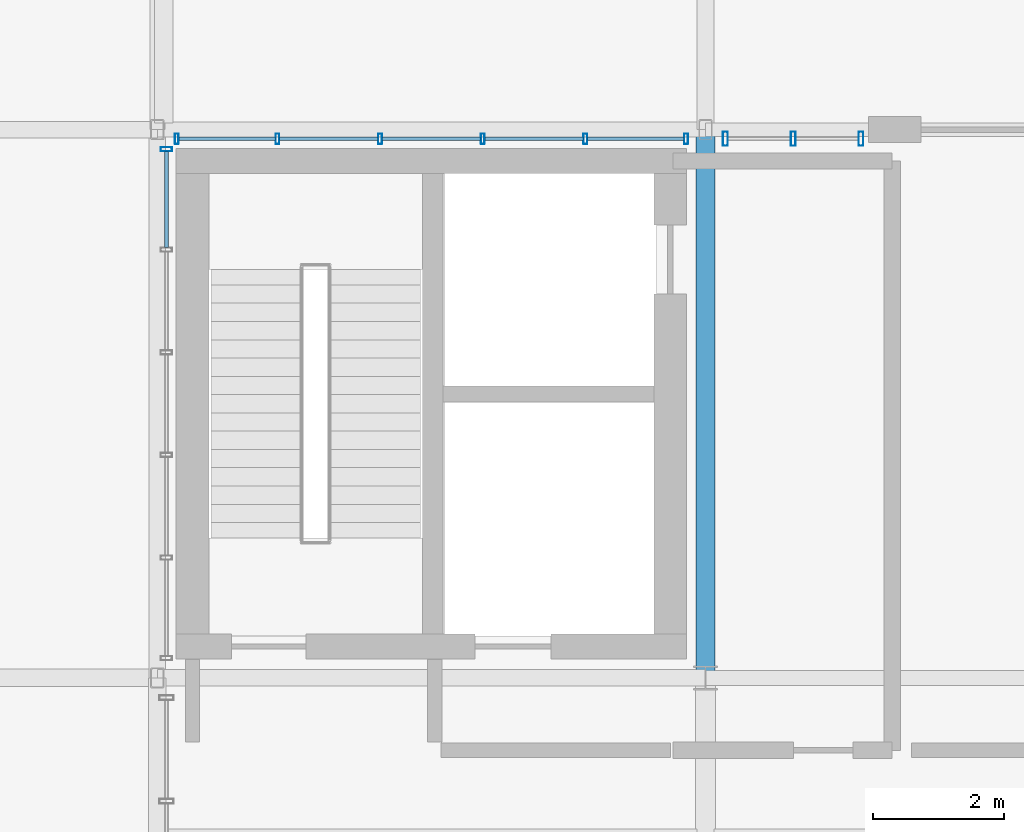
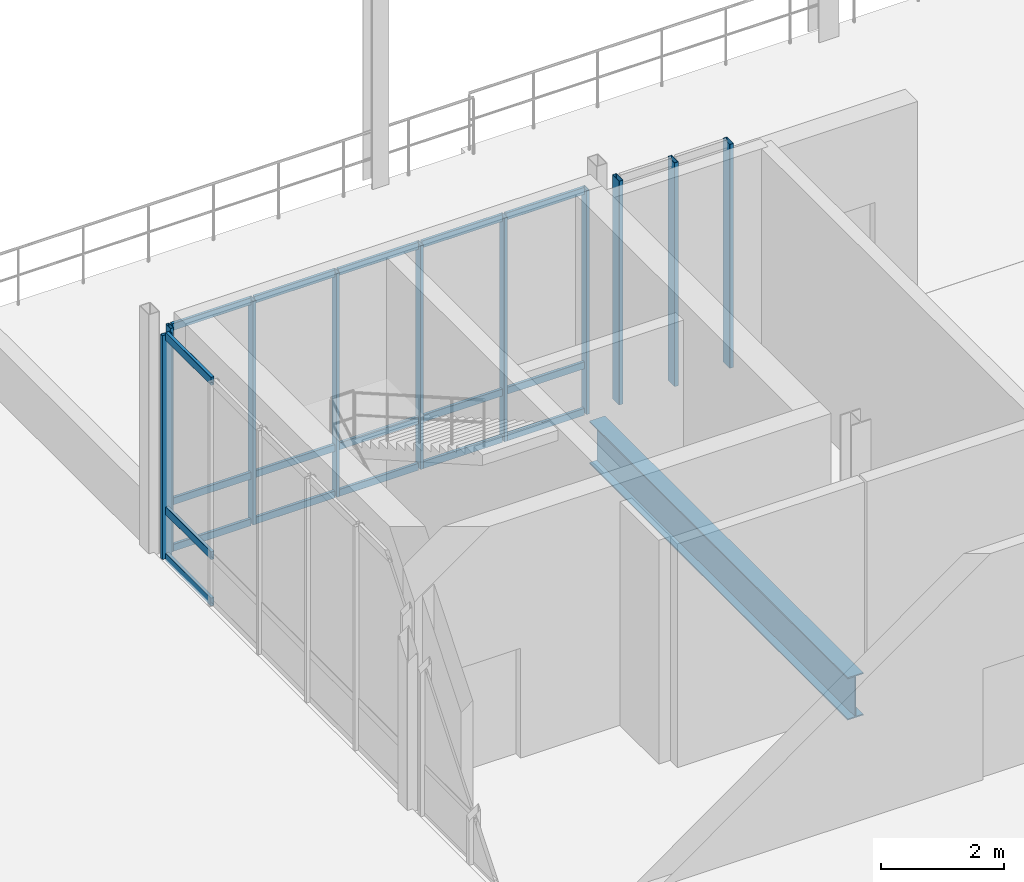
# One storey, part 29 of 81: 28 members, 1 beam, 3 elements without a shape of their own.
"""IFC4 building model written with IfcOpenShell, lengths in metres."""

import ifcopenshell
import ifcopenshell.guid

model = None  # the IFC model being written
_history = None  # IfcOwnerHistory: only IFC2X3 demands one
_inside = {}  # id of a spatial element -> (the spatial element, [elements in it])
_under = {}  # id of a project, library or spatial element -> (it, [spatial elements below it])
_declared = {}  # id of a project -> (the project, [libraries it declares])
_typed = {}  # id of a type object -> (the type object, [elements of that type])
_made_of = {}  # id of a material, layer set ... -> (it, [elements and type objects made of it])


def new_model(schema):
    """Start an empty IFC model of exactly this schema.

    Asked for "IFC4X3", IfcOpenShell would pick the latest addendum, in which some entities
    have other attributes; the version numbers below select the first issue.
    IFC2X3 requires an IfcOwnerHistory on every rooted entity: one is made here for all.
    """
    global model, _history
    if schema == "IFC4X3":
        model = ifcopenshell.file(schema_version=(4, 3, 0, 0))
    else:
        model = ifcopenshell.file(schema=schema)
    _inside.clear()
    _under.clear()
    _declared.clear()
    _typed.clear()
    _made_of.clear()
    _history = None
    if model.schema == "IFC2X3":
        org = make("IfcOrganization", Name="unknown")
        user = make(
            "IfcPersonAndOrganization",
            ThePerson=make("IfcPerson", FamilyName="unknown"),
            TheOrganization=org,
        )
        app = make(
            "IfcApplication",
            ApplicationDeveloper=org,
            Version="unknown",
            ApplicationFullName="unknown",
            ApplicationIdentifier="unknown",
        )
        _history = make(
            "IfcOwnerHistory",
            OwningUser=user,
            OwningApplication=app,
            ChangeAction="ADDED",
            CreationDate=0,
        )
    return model


def make(cls, **values):
    """One entity of the class cls with the attributes given. An attribute that is None is left unset."""
    return model.create_entity(
        cls, **{name: value for name, value in values.items() if value is not None}
    )


def rooted(cls, **values):
    """An entity with a GlobalId (a new one), such as an element, a storey or a relation."""
    return make(cls, GlobalId=ifcopenshell.guid.new(), OwnerHistory=_history, **values)


def si_unit(unit_type, name, prefix=None):
    """IfcSIUnit, for example si_unit("LENGTHUNIT", "METRE", prefix="MILLI")."""
    return make("IfcSIUnit", UnitType=unit_type, Prefix=prefix, Name=name)


def assignment(units):
    """IfcUnitAssignment: the units of a project."""
    return None if units is None else make("IfcUnitAssignment", Units=units)


def point(xyz):
    """IfcCartesianPoint."""
    return None if xyz is None else make("IfcCartesianPoint", Coordinates=xyz)


def direction(xyz):
    """IfcDirection."""
    return None if xyz is None else make("IfcDirection", DirectionRatios=xyz)


def frame(location, z_axis=None, x_axis=None):
    """IfcAxis2Placement3D, a coordinate frame: its origin and axes. An axis left out is left unset."""
    return make(
        "IfcAxis2Placement3D",
        Location=point(location),
        Axis=direction(z_axis),
        RefDirection=direction(x_axis),
    )


def frame_2d(location, x_axis=None):
    """IfcAxis2Placement2D, a coordinate frame in the plane: its origin and x axis."""
    return make(
        "IfcAxis2Placement2D", Location=point(location), RefDirection=direction(x_axis)
    )


def origin_with_axes():
    """The frame at (0, 0, 0) with the z axis (0, 0, 1) and the x axis (1, 0, 0) written out."""
    return frame((0.0, 0.0, 0.0), z_axis=(0.0, 0.0, 1.0), x_axis=(1.0, 0.0, 0.0))


def origin_2d_with_axis():
    """The frame at (0, 0) in the plane with the x axis (1, 0) written out."""
    return frame_2d((0.0, 0.0), x_axis=(1.0, 0.0))


def place(relative_to, where):
    """IfcLocalPlacement: puts the frame where relative to a parent placement (None: the world)."""
    return make(
        "IfcLocalPlacement", PlacementRelTo=relative_to, RelativePlacement=where
    )


def context(
    kind, dimensions, precision=None, world=None, true_north=None, identifier=None
):
    """IfcGeometricRepresentationContext, for example the 3D "Model" context."""
    return make(
        "IfcGeometricRepresentationContext",
        ContextIdentifier=identifier,
        ContextType=kind,
        CoordinateSpaceDimension=dimensions,
        Precision=precision,
        WorldCoordinateSystem=world,
        TrueNorth=true_north,
    )


def subcontext(parent, identifier, kind, view, scale=None):
    """IfcGeometricRepresentationSubContext, for example "Body" below "Model"."""
    return make(
        "IfcGeometricRepresentationSubContext",
        ContextIdentifier=identifier,
        ContextType=kind,
        ParentContext=parent,
        TargetScale=scale,
        TargetView=view,
    )


def project(units=None, contexts=None):
    """IfcProject with its units and contexts."""
    return rooted(
        "IfcProject",
        Name="project",
        RepresentationContexts=contexts,
        UnitsInContext=assignment(units),
    )


def spatial(cls, under=None, at=None, **own):
    """A site, building, storey or space (cls), placed at a placement, below another one or the project."""
    s = rooted(cls, ObjectPlacement=at, **own)
    if under is not None:
        _under.setdefault(under.id(), (under, []))[1].append(s)
    return s


def profile(cls, at=None, kind="AREA", **sizes):
    """A parametric profile (cls). Its sizes go by their IFC names, for example OverallWidth=200.0."""
    return make(cls, ProfileType=kind, Position=at, **sizes)


def hollow_rectangle(**sizes):
    """IfcRectangleHollowProfileDef."""
    return profile("IfcRectangleHollowProfileDef", **sizes)


def i_section(**sizes):
    """IfcIShapeProfileDef."""
    return profile("IfcIShapeProfileDef", **sizes)


def extrude(swept, where, along, depth):
    """IfcExtrudedAreaSolid: the profile swept, set in the frame where, extruded along a direction by depth."""
    return make(
        "IfcExtrudedAreaSolid",
        SweptArea=swept,
        Position=where,
        ExtrudedDirection=direction(along),
        Depth=depth,
    )


def shape(context_of_items, identifier, shape_type, items):
    """IfcShapeRepresentation: the items that make up one representation, for example the "Body"."""
    return make(
        "IfcShapeRepresentation",
        ContextOfItems=context_of_items,
        RepresentationIdentifier=identifier,
        RepresentationType=shape_type,
        Items=items,
    )


def material(Name=None, Category=None):
    """IfcMaterial."""
    return make("IfcMaterial", Name=Name, Category=Category)


def material_profile(
    of_material, cross_section, Name=None, Category=None, Priority=None
):
    """IfcMaterialProfile: a cross section and its material."""
    return make(
        "IfcMaterialProfile",
        Name=Name,
        Material=of_material,
        Profile=cross_section,
        Priority=Priority,
        Category=Category,
    )


def profile_set(profiles, Name=None, composite=None):
    """IfcMaterialProfileSet."""
    return make(
        "IfcMaterialProfileSet",
        Name=Name,
        MaterialProfiles=profiles,
        CompositeProfile=composite,
    )


def made_of(thing, what):
    """Note that an element or type object is made of a material, layer set ...; save() writes the relation."""
    if what is not None:
        _made_of.setdefault(what.id(), (what, []))[1].append(thing)
    return thing


def type_object(cls, material=None, **own):
    """A type object (cls), such as IfcWallType, which elements share."""
    return made_of(rooted(cls, **own), material)


def element(
    cls,
    number,
    at=None,
    inside=None,
    cuts=None,
    type_object=None,
    material=None,
    context=None,
    identifier="Body",
    shape_type=None,
    held_by="IfcProductDefinitionShape",
    body=None,
    shapes=None,
    **own,
):
    """One element of the class cls, such as IfcWall. Its Tag is "e" and its number.

    at: its placement. inside: the storey or other place that contains it. cuts: it is an
    opening in that element (IfcRelVoidsElement). A single representation is given by context,
    identifier, shape_type and body (its items); several are given by shapes. held_by: the class
    of the entity that holds the representations. save() writes the other relations.
    """
    e = rooted(cls, Tag="e%d" % number, ObjectPlacement=at, **own)
    if body is not None:
        shapes = [shape(context, identifier, shape_type, body)]
    if shapes is not None:
        e.Representation = make(held_by, Representations=shapes)
    if inside is not None:
        _inside.setdefault(inside.id(), (inside, []))[1].append(e)
    if cuts is not None:
        rooted(
            "IfcRelVoidsElement", RelatingBuildingElement=cuts, RelatedOpeningElement=e
        )
    if type_object is not None:
        _typed.setdefault(type_object.id(), (type_object, []))[1].append(e)
    return made_of(e, material)


def aggregate(whole, parts):
    """IfcRelAggregates: a whole, such as a stair, and the parts it consists of."""
    return rooted("IfcRelAggregates", RelatingObject=whole, RelatedObjects=parts)


def save(model, path):
    """Write the relations noted so far, then the file.

    IfcRelAggregates (storeys below a building ...), IfcRelContainedInSpatialStructure (elements
    in a storey), IfcRelDefinesByType, IfcRelAssociatesMaterial and IfcRelDeclares: one each for
    every whole, place, type object, material and project.
    """
    for whole, parts in _under.values():
        aggregate(whole, parts)
    for where, things in _inside.values():
        rooted(
            "IfcRelContainedInSpatialStructure",
            RelatedElements=things,
            RelatingStructure=where,
        )
    for kind, things in _typed.values():
        rooted("IfcRelDefinesByType", RelatedObjects=things, RelatingType=kind)
    for what, things in _made_of.values():
        rooted("IfcRelAssociatesMaterial", RelatedObjects=things, RelatingMaterial=what)
    for by, libraries in _declared.values():
        rooted("IfcRelDeclares", RelatingContext=by, RelatedDefinitions=libraries)
    model.write(path)


model = new_model("IFC4")

# Units and contexts
model_context = context("Model", 3, precision=1e-05, world=origin_with_axes(), true_north=direction((0.0, 1.0)))
body_context = subcontext(model_context, "Body", "Model", "MODEL_VIEW")
ifc_project = project(units=[si_unit("LENGTHUNIT", "METRE"), si_unit("AREAUNIT", "SQUARE_METRE"), si_unit("VOLUMEUNIT", "CUBIC_METRE"), si_unit("PLANEANGLEUNIT", "RADIAN"), si_unit("MASSUNIT", "GRAM", prefix="KILO"), si_unit("THERMODYNAMICTEMPERATUREUNIT", "KELVIN")], contexts=[model_context])

# Site, building, storey
site_placement = place(None, origin_with_axes())
site = spatial("IfcSite", under=ifc_project, at=site_placement, CompositionType="ELEMENT")
building_placement = place(site_placement, origin_with_axes())
building = spatial("IfcBuilding", under=site, at=building_placement, Name="Montbau Bow Law Courts", CompositionType="ELEMENT")
storey_placement = place(building_placement, frame((0.0, 0.0, 24.9), z_axis=(0.0, 0.0, 1.0), x_axis=(1.0, 0.0, 0.0)))
storey = spatial("IfcBuildingStorey", under=building, at=storey_placement, Name="L05", CompositionType="ELEMENT", Elevation=24.9)

# Beam
ifc_material_1 = material(Name="Steel CSA G40.21 Grade 350W (350 MPa)", Category="steel")
ifc_material_profile_1 = material_profile(ifc_material_1, i_section(OverallWidth=0.293, OverallDepth=0.846, WebThickness=0.0154, FlangeThickness=0.0244, at=origin_2d_with_axis()), Name="W840X210", Category="Main", Priority=0)
ifc_profile_set_1 = profile_set([ifc_material_profile_1], Name="Steel CSA G40.21 Grade 350W (350 MPa)")
beam_type = type_object("IfcBeamType", Name="B-FLR-02", PredefinedType="BEAM", material=ifc_profile_set_1)
beam_placement = place(None, frame((63.6, 46.2, 24.157), z_axis=(0.0, 1.0, 0.0), x_axis=(-1.0, 0.0, 0.0)))
element("IfcBeam", 1, at=beam_placement, inside=storey, type_object=beam_type, Name="BM-L05-S0984:bm2_0987", PredefinedType="BEAM", context=body_context, shape_type="SweptSolid", body=[
    extrude(i_section(OverallWidth=0.293, OverallDepth=0.846, WebThickness=0.0154, FlangeThickness=0.0244, at=origin_2d_with_axis()), origin_with_axes(), (0.0, 0.0, 1.0), 8.4),
])

# Curtain wall, members
ifc_material_2 = material(Name="Thermally Broken Extruded Aluminium AA 6063-T6", Category="aluminium")
curtain_wall_type = type_object("IfcCurtainWallType", Name="CW-NCK-02", PredefinedType="NOTDEFINED", material=ifc_material_2)
curtain_wall_1_placement = place(None, frame((63.868, 54.46, 24.9), z_axis=(0.0, 0.0, 1.0), x_axis=(1.0, 0.0, 0.0)))
curtain_wall_1 = element("IfcCurtainWall", 2, at=curtain_wall_1_placement, inside=storey, type_object=curtain_wall_type, Name="CW-L05-216:cw_0216", PredefinedType="NOTDEFINED")
ifc_material_profile_2 = material_profile(ifc_material_2, hollow_rectangle(XDim=0.075, YDim=0.22, WallThickness=0.005, InnerFilletRadius=0.01, OuterFilletRadius=0.005, at=origin_2d_with_axis()), Name="CWM-220X75", Category="Main", Priority=0)
ifc_profile_set_2 = profile_set([ifc_material_profile_2], Name="Thermally Broken Extruded Aluminium AA 6063-T6")
member_type_1 = type_object("IfcMemberType", Name="M-MUL-01", PredefinedType="MULLION", material=ifc_profile_set_2)
member_1_placement = place(None, frame((63.905, 54.46, 24.9), z_axis=(0.0, 0.0, 1.0), x_axis=(1.0, 0.0, 0.0)))
member_1 = element("IfcMember", 3, at=member_1_placement, type_object=member_type_1, Name="CW-L05-216-M01:cw_0216_M01", PredefinedType="MULLION", context=body_context, shape_type="SweptSolid", body=[
    extrude(hollow_rectangle(XDim=0.075, YDim=0.22, WallThickness=0.005, InnerFilletRadius=0.01, OuterFilletRadius=0.005, at=origin_2d_with_axis()), origin_with_axes(), (0.0, 0.0, 1.0), 4.44),
])
member_2_placement = place(None, frame((64.944, 54.46, 24.9), z_axis=(0.0, 0.0, 1.0), x_axis=(1.0, 0.0, 0.0)))
member_2 = element("IfcMember", 4, at=member_2_placement, type_object=member_type_1, Name="CW-L05-216-M02:cw_0216_M02", PredefinedType="MULLION", context=body_context, shape_type="SweptSolid", body=[
    extrude(hollow_rectangle(XDim=0.075, YDim=0.22, WallThickness=0.005, InnerFilletRadius=0.01, OuterFilletRadius=0.005, at=origin_2d_with_axis()), origin_with_axes(), (0.0, 0.0, 1.0), 4.44),
])
member_3_placement = place(None, frame((65.982, 54.46, 24.9), z_axis=(0.0, 0.0, 1.0), x_axis=(1.0, 0.0, 0.0)))
member_3 = element("IfcMember", 5, at=member_3_placement, type_object=member_type_1, Name="CW-L05-216-M03:cw_0216_M03", PredefinedType="MULLION", context=body_context, shape_type="SweptSolid", body=[
    extrude(hollow_rectangle(XDim=0.075, YDim=0.22, WallThickness=0.005, InnerFilletRadius=0.01, OuterFilletRadius=0.005, at=origin_2d_with_axis()), origin_with_axes(), (0.0, 0.0, 1.0), 4.44),
])
aggregate(curtain_wall_1, [member_1, member_2, member_3])

# Curtain wall, member
curtain_wall_2_placement = place(None, frame((55.34, 46.468, 24.9), z_axis=(0.0, 0.0, 1.0), x_axis=(1.0, 0.0, 0.0)))
curtain_wall_2 = element("IfcCurtainWall", 6, at=curtain_wall_2_placement, inside=storey, type_object=curtain_wall_type, Name="CW-L05-220:cw_0220", PredefinedType="NOTDEFINED")
ifc_material_profile_3 = material_profile(ifc_material_2, hollow_rectangle(XDim=0.065, YDim=0.18, WallThickness=0.005, InnerFilletRadius=0.01, OuterFilletRadius=0.005, at=origin_2d_with_axis()), Name="CWM-180X65", Category="Main", Priority=0)
ifc_profile_set_3 = profile_set([ifc_material_profile_3], Name="Thermally Broken Extruded Aluminium AA 6063-T6")
member_type_2 = type_object("IfcMemberType", Name="M-MUL-02", PredefinedType="MULLION", material=ifc_profile_set_3)
member_4_placement = place(None, frame((55.34, 54.299, 24.9), z_axis=(0.0, 0.0, 1.0), x_axis=(0.0, 1.0, 0.0)))
member_4 = element("IfcMember", 7, at=member_4_placement, type_object=member_type_2, Name="CW-L05-220-M06:cw_0220_M06", PredefinedType="MULLION", context=body_context, shape_type="SweptSolid", body=[
    extrude(hollow_rectangle(XDim=0.065, YDim=0.18, WallThickness=0.005, InnerFilletRadius=0.01, OuterFilletRadius=0.005, at=origin_2d_with_axis()), origin_with_axes(), (0.0, 0.0, 1.0), 4.44),
])

# Curtain wall, members
curtain_wall_3_placement = place(None, frame((55.468, 54.46, 24.9), z_axis=(0.0, 0.0, 1.0), x_axis=(1.0, 0.0, 0.0)))
curtain_wall_3 = element("IfcCurtainWall", 8, at=curtain_wall_3_placement, inside=storey, type_object=curtain_wall_type, Name="CW-L05-215:cw_0215", PredefinedType="NOTDEFINED")
ifc_material_profile_4 = material_profile(ifc_material_2, hollow_rectangle(XDim=0.06, YDim=0.16, WallThickness=0.004, InnerFilletRadius=0.008, OuterFilletRadius=0.004, at=origin_2d_with_axis()), Name="CWM-160X60", Category="Main", Priority=0)
ifc_profile_set_4 = profile_set([ifc_material_profile_4], Name="Thermally Broken Extruded Aluminium AA 6063-T6")
member_type_3 = type_object("IfcMemberType", Name="M-MUL-03", PredefinedType="MULLION", material=ifc_profile_set_4)
member_5_placement = place(None, frame((55.498, 54.46, 24.9), z_axis=(0.0, 0.0, 1.0), x_axis=(1.0, 0.0, 0.0)))
member_5 = element("IfcMember", 9, at=member_5_placement, type_object=member_type_3, Name="CW-L05-215-M01:cw_0215_M01", PredefinedType="MULLION", context=body_context, shape_type="SweptSolid", body=[
    extrude(hollow_rectangle(XDim=0.06, YDim=0.16, WallThickness=0.004, InnerFilletRadius=0.008, OuterFilletRadius=0.004, at=origin_2d_with_axis()), origin_with_axes(), (0.0, 0.0, 1.0), 4.44),
])
member_6_placement = place(None, frame((57.041, 54.46, 24.9), z_axis=(0.0, 0.0, 1.0), x_axis=(1.0, 0.0, 0.0)))
member_6 = element("IfcMember", 10, at=member_6_placement, type_object=member_type_3, Name="CW-L05-215-M02:cw_0215_M02", PredefinedType="MULLION", context=body_context, shape_type="SweptSolid", body=[
    extrude(hollow_rectangle(XDim=0.06, YDim=0.16, WallThickness=0.004, InnerFilletRadius=0.008, OuterFilletRadius=0.004, at=origin_2d_with_axis()), origin_with_axes(), (0.0, 0.0, 1.0), 4.44),
])
member_7_placement = place(None, frame((58.614, 54.46, 24.9), z_axis=(0.0, 0.0, 1.0), x_axis=(1.0, 0.0, 0.0)))
member_7 = element("IfcMember", 11, at=member_7_placement, type_object=member_type_3, Name="CW-L05-215-M03:cw_0215_M03", PredefinedType="MULLION", context=body_context, shape_type="SweptSolid", body=[
    extrude(hollow_rectangle(XDim=0.06, YDim=0.16, WallThickness=0.004, InnerFilletRadius=0.008, OuterFilletRadius=0.004, at=origin_2d_with_axis()), origin_with_axes(), (0.0, 0.0, 1.0), 4.44),
])
member_8_placement = place(None, frame((60.186, 54.46, 24.9), z_axis=(0.0, 0.0, 1.0), x_axis=(1.0, 0.0, 0.0)))
member_8 = element("IfcMember", 12, at=member_8_placement, type_object=member_type_3, Name="CW-L05-215-M04:cw_0215_M04", PredefinedType="MULLION", context=body_context, shape_type="SweptSolid", body=[
    extrude(hollow_rectangle(XDim=0.06, YDim=0.16, WallThickness=0.004, InnerFilletRadius=0.008, OuterFilletRadius=0.004, at=origin_2d_with_axis()), origin_with_axes(), (0.0, 0.0, 1.0), 4.44),
])
member_9_placement = place(None, frame((61.759, 54.46, 24.9), z_axis=(0.0, 0.0, 1.0), x_axis=(1.0, 0.0, 0.0)))
member_9 = element("IfcMember", 13, at=member_9_placement, type_object=member_type_3, Name="CW-L05-215-M05:cw_0215_M05", PredefinedType="MULLION", context=body_context, shape_type="SweptSolid", body=[
    extrude(hollow_rectangle(XDim=0.06, YDim=0.16, WallThickness=0.004, InnerFilletRadius=0.008, OuterFilletRadius=0.004, at=origin_2d_with_axis()), origin_with_axes(), (0.0, 0.0, 1.0), 4.44),
])
member_10_placement = place(None, frame((63.302, 54.46, 24.9), z_axis=(0.0, 0.0, 1.0), x_axis=(1.0, 0.0, 0.0)))
member_10 = element("IfcMember", 14, at=member_10_placement, type_object=member_type_3, Name="CW-L05-215-M06:cw_0215_M06", PredefinedType="MULLION", context=body_context, shape_type="SweptSolid", body=[
    extrude(hollow_rectangle(XDim=0.06, YDim=0.16, WallThickness=0.004, InnerFilletRadius=0.008, OuterFilletRadius=0.004, at=origin_2d_with_axis()), origin_with_axes(), (0.0, 0.0, 1.0), 4.44),
])

# Member
ifc_material_profile_5 = material_profile(ifc_material_2, hollow_rectangle(XDim=0.06, YDim=0.16, WallThickness=0.004, InnerFilletRadius=0.008, OuterFilletRadius=0.004, at=origin_2d_with_axis()), Name="CWT-160X60", Category="Main", Priority=0)
ifc_profile_set_5 = profile_set([ifc_material_profile_5], Name="Thermally Broken Extruded Aluminium AA 6063-T6")
member_type_4 = type_object("IfcMemberType", Name="M-TRN-01", PredefinedType="USERDEFINED", material=ifc_profile_set_5)
member_11_placement = place(None, frame((55.34, 52.793, 24.93), z_axis=(0.0, 1.0, 0.0), x_axis=(-1.0, 0.0, 0.0)))
member_11 = element("IfcMember", 15, at=member_11_placement, type_object=member_type_4, Name="CW-L05-220-T05-1:cw_0220_T05_1", ObjectType="TRANSOM", PredefinedType="USERDEFINED", context=body_context, shape_type="SweptSolid", body=[
    extrude(hollow_rectangle(XDim=0.06, YDim=0.16, WallThickness=0.004, InnerFilletRadius=0.008, OuterFilletRadius=0.004, at=origin_2d_with_axis()), origin_with_axes(), (0.0, 0.0, 1.0), 1.472),
])

member_12_placement = place(None, frame((55.34, 52.793, 25.85), z_axis=(0.0, 1.0, 0.0), x_axis=(-1.0, 0.0, 0.0)))
member_12 = element("IfcMember", 16, at=member_12_placement, type_object=member_type_4, Name="CW-L05-220-T05-2:cw_0220_T05_2", ObjectType="TRANSOM", PredefinedType="USERDEFINED", context=body_context, shape_type="SweptSolid", body=[
    extrude(hollow_rectangle(XDim=0.06, YDim=0.16, WallThickness=0.004, InnerFilletRadius=0.008, OuterFilletRadius=0.004, at=origin_2d_with_axis()), origin_with_axes(), (0.0, 0.0, 1.0), 1.472),
])

member_13_placement = place(None, frame((55.34, 52.793, 29.31), z_axis=(0.0, 1.0, 0.0), x_axis=(-1.0, 0.0, 0.0)))
member_13 = element("IfcMember", 17, at=member_13_placement, type_object=member_type_4, Name="CW-L05-220-T05-3:cw_0220_T05_3", ObjectType="TRANSOM", PredefinedType="USERDEFINED", context=body_context, shape_type="SweptSolid", body=[
    extrude(hollow_rectangle(XDim=0.06, YDim=0.16, WallThickness=0.004, InnerFilletRadius=0.008, OuterFilletRadius=0.004, at=origin_2d_with_axis()), origin_with_axes(), (0.0, 0.0, 1.0), 1.472),
])

aggregate(curtain_wall_2, [member_4, member_11, member_12, member_13])

ifc_material_profile_6 = material_profile(ifc_material_2, hollow_rectangle(XDim=0.055, YDim=0.14, WallThickness=0.004, InnerFilletRadius=0.008, OuterFilletRadius=0.004, at=origin_2d_with_axis()), Name="CWT-140X55", Category="Main", Priority=0)
ifc_profile_set_6 = profile_set([ifc_material_profile_6], Name="Thermally Broken Extruded Aluminium AA 6063-T6")
member_type_5 = type_object("IfcMemberType", Name="M-TRN-02", PredefinedType="USERDEFINED", material=ifc_profile_set_6)
member_14_placement = place(None, frame((55.53, 54.46, 24.927), z_axis=(1.0, 0.0, 0.0), x_axis=(0.0, 1.0, 0.0)))
member_14 = element("IfcMember", 18, at=member_14_placement, type_object=member_type_5, Name="CW-L05-215-T01-1:cw_0215_T01_1", ObjectType="TRANSOM", PredefinedType="USERDEFINED", context=body_context, shape_type="SweptSolid", body=[
    extrude(hollow_rectangle(XDim=0.055, YDim=0.14, WallThickness=0.004, InnerFilletRadius=0.008, OuterFilletRadius=0.004, at=origin_2d_with_axis()), origin_with_axes(), (0.0, 0.0, 1.0), 1.479),
])

member_15_placement = place(None, frame((55.53, 54.46, 25.85), z_axis=(1.0, 0.0, 0.0), x_axis=(0.0, 1.0, 0.0)))
member_15 = element("IfcMember", 19, at=member_15_placement, type_object=member_type_5, Name="CW-L05-215-T01-2:cw_0215_T01_2", ObjectType="TRANSOM", PredefinedType="USERDEFINED", context=body_context, shape_type="SweptSolid", body=[
    extrude(hollow_rectangle(XDim=0.055, YDim=0.14, WallThickness=0.004, InnerFilletRadius=0.008, OuterFilletRadius=0.004, at=origin_2d_with_axis()), origin_with_axes(), (0.0, 0.0, 1.0), 1.479),
])

member_16_placement = place(None, frame((55.53, 54.46, 29.312), z_axis=(1.0, 0.0, 0.0), x_axis=(0.0, 1.0, 0.0)))
member_16 = element("IfcMember", 20, at=member_16_placement, type_object=member_type_5, Name="CW-L05-215-T01-3:cw_0215_T01_3", ObjectType="TRANSOM", PredefinedType="USERDEFINED", context=body_context, shape_type="SweptSolid", body=[
    extrude(hollow_rectangle(XDim=0.055, YDim=0.14, WallThickness=0.004, InnerFilletRadius=0.008, OuterFilletRadius=0.004, at=origin_2d_with_axis()), origin_with_axes(), (0.0, 0.0, 1.0), 1.479),
])

member_17_placement = place(None, frame((57.073, 54.46, 24.927), z_axis=(1.0, 0.0, 0.0), x_axis=(0.0, 1.0, 0.0)))
member_17 = element("IfcMember", 21, at=member_17_placement, type_object=member_type_5, Name="CW-L05-215-T02-1:cw_0215_T02_1", ObjectType="TRANSOM", PredefinedType="USERDEFINED", context=body_context, shape_type="SweptSolid", body=[
    extrude(hollow_rectangle(XDim=0.055, YDim=0.14, WallThickness=0.004, InnerFilletRadius=0.008, OuterFilletRadius=0.004, at=origin_2d_with_axis()), origin_with_axes(), (0.0, 0.0, 1.0), 1.509),
])

member_18_placement = place(None, frame((57.073, 54.46, 25.85), z_axis=(1.0, 0.0, 0.0), x_axis=(0.0, 1.0, 0.0)))
member_18 = element("IfcMember", 22, at=member_18_placement, type_object=member_type_5, Name="CW-L05-215-T02-2:cw_0215_T02_2", ObjectType="TRANSOM", PredefinedType="USERDEFINED", context=body_context, shape_type="SweptSolid", body=[
    extrude(hollow_rectangle(XDim=0.055, YDim=0.14, WallThickness=0.004, InnerFilletRadius=0.008, OuterFilletRadius=0.004, at=origin_2d_with_axis()), origin_with_axes(), (0.0, 0.0, 1.0), 1.509),
])

member_19_placement = place(None, frame((57.073, 54.46, 29.312), z_axis=(1.0, 0.0, 0.0), x_axis=(0.0, 1.0, 0.0)))
member_19 = element("IfcMember", 23, at=member_19_placement, type_object=member_type_5, Name="CW-L05-215-T02-3:cw_0215_T02_3", ObjectType="TRANSOM", PredefinedType="USERDEFINED", context=body_context, shape_type="SweptSolid", body=[
    extrude(hollow_rectangle(XDim=0.055, YDim=0.14, WallThickness=0.004, InnerFilletRadius=0.008, OuterFilletRadius=0.004, at=origin_2d_with_axis()), origin_with_axes(), (0.0, 0.0, 1.0), 1.509),
])

member_20_placement = place(None, frame((58.646, 54.46, 24.927), z_axis=(1.0, 0.0, 0.0), x_axis=(0.0, 1.0, 0.0)))
member_20 = element("IfcMember", 24, at=member_20_placement, type_object=member_type_5, Name="CW-L05-215-T03-1:cw_0215_T03_1", ObjectType="TRANSOM", PredefinedType="USERDEFINED", context=body_context, shape_type="SweptSolid", body=[
    extrude(hollow_rectangle(XDim=0.055, YDim=0.14, WallThickness=0.004, InnerFilletRadius=0.008, OuterFilletRadius=0.004, at=origin_2d_with_axis()), origin_with_axes(), (0.0, 0.0, 1.0), 1.508),
])

member_21_placement = place(None, frame((58.646, 54.46, 25.85), z_axis=(1.0, 0.0, 0.0), x_axis=(0.0, 1.0, 0.0)))
member_21 = element("IfcMember", 25, at=member_21_placement, type_object=member_type_5, Name="CW-L05-215-T03-2:cw_0215_T03_2", ObjectType="TRANSOM", PredefinedType="USERDEFINED", context=body_context, shape_type="SweptSolid", body=[
    extrude(hollow_rectangle(XDim=0.055, YDim=0.14, WallThickness=0.004, InnerFilletRadius=0.008, OuterFilletRadius=0.004, at=origin_2d_with_axis()), origin_with_axes(), (0.0, 0.0, 1.0), 1.508),
])

member_22_placement = place(None, frame((58.646, 54.46, 29.312), z_axis=(1.0, 0.0, 0.0), x_axis=(0.0, 1.0, 0.0)))
member_22 = element("IfcMember", 26, at=member_22_placement, type_object=member_type_5, Name="CW-L05-215-T03-3:cw_0215_T03_3", ObjectType="TRANSOM", PredefinedType="USERDEFINED", context=body_context, shape_type="SweptSolid", body=[
    extrude(hollow_rectangle(XDim=0.055, YDim=0.14, WallThickness=0.004, InnerFilletRadius=0.008, OuterFilletRadius=0.004, at=origin_2d_with_axis()), origin_with_axes(), (0.0, 0.0, 1.0), 1.508),
])

member_23_placement = place(None, frame((60.218, 54.46, 24.927), z_axis=(1.0, 0.0, 0.0), x_axis=(0.0, 1.0, 0.0)))
member_23 = element("IfcMember", 27, at=member_23_placement, type_object=member_type_5, Name="CW-L05-215-T04-1:cw_0215_T04_1", ObjectType="TRANSOM", PredefinedType="USERDEFINED", context=body_context, shape_type="SweptSolid", body=[
    extrude(hollow_rectangle(XDim=0.055, YDim=0.14, WallThickness=0.004, InnerFilletRadius=0.008, OuterFilletRadius=0.004, at=origin_2d_with_axis()), origin_with_axes(), (0.0, 0.0, 1.0), 1.509),
])

member_24_placement = place(None, frame((60.218, 54.46, 25.85), z_axis=(1.0, 0.0, 0.0), x_axis=(0.0, 1.0, 0.0)))
member_24 = element("IfcMember", 28, at=member_24_placement, type_object=member_type_5, Name="CW-L05-215-T04-2:cw_0215_T04_2", ObjectType="TRANSOM", PredefinedType="USERDEFINED", context=body_context, shape_type="SweptSolid", body=[
    extrude(hollow_rectangle(XDim=0.055, YDim=0.14, WallThickness=0.004, InnerFilletRadius=0.008, OuterFilletRadius=0.004, at=origin_2d_with_axis()), origin_with_axes(), (0.0, 0.0, 1.0), 1.509),
])

member_25_placement = place(None, frame((60.218, 54.46, 29.312), z_axis=(1.0, 0.0, 0.0), x_axis=(0.0, 1.0, 0.0)))
member_25 = element("IfcMember", 29, at=member_25_placement, type_object=member_type_5, Name="CW-L05-215-T04-3:cw_0215_T04_3", ObjectType="TRANSOM", PredefinedType="USERDEFINED", context=body_context, shape_type="SweptSolid", body=[
    extrude(hollow_rectangle(XDim=0.055, YDim=0.14, WallThickness=0.004, InnerFilletRadius=0.008, OuterFilletRadius=0.004, at=origin_2d_with_axis()), origin_with_axes(), (0.0, 0.0, 1.0), 1.509),
])

member_26_placement = place(None, frame((61.791, 54.46, 24.927), z_axis=(1.0, 0.0, 0.0), x_axis=(0.0, 1.0, 0.0)))
member_26 = element("IfcMember", 30, at=member_26_placement, type_object=member_type_5, Name="CW-L05-215-T05-1:cw_0215_T05_1", ObjectType="TRANSOM", PredefinedType="USERDEFINED", context=body_context, shape_type="SweptSolid", body=[
    extrude(hollow_rectangle(XDim=0.055, YDim=0.14, WallThickness=0.004, InnerFilletRadius=0.008, OuterFilletRadius=0.004, at=origin_2d_with_axis()), origin_with_axes(), (0.0, 0.0, 1.0), 1.479),
])

member_27_placement = place(None, frame((61.791, 54.46, 25.85), z_axis=(1.0, 0.0, 0.0), x_axis=(0.0, 1.0, 0.0)))
member_27 = element("IfcMember", 31, at=member_27_placement, type_object=member_type_5, Name="CW-L05-215-T05-2:cw_0215_T05_2", ObjectType="TRANSOM", PredefinedType="USERDEFINED", context=body_context, shape_type="SweptSolid", body=[
    extrude(hollow_rectangle(XDim=0.055, YDim=0.14, WallThickness=0.004, InnerFilletRadius=0.008, OuterFilletRadius=0.004, at=origin_2d_with_axis()), origin_with_axes(), (0.0, 0.0, 1.0), 1.479),
])

member_28_placement = place(None, frame((61.791, 54.46, 29.312), z_axis=(1.0, 0.0, 0.0), x_axis=(0.0, 1.0, 0.0)))
member_28 = element("IfcMember", 32, at=member_28_placement, type_object=member_type_5, Name="CW-L05-215-T05-3:cw_0215_T05_3", ObjectType="TRANSOM", PredefinedType="USERDEFINED", context=body_context, shape_type="SweptSolid", body=[
    extrude(hollow_rectangle(XDim=0.055, YDim=0.14, WallThickness=0.004, InnerFilletRadius=0.008, OuterFilletRadius=0.004, at=origin_2d_with_axis()), origin_with_axes(), (0.0, 0.0, 1.0), 1.479),
])

aggregate(curtain_wall_3, [member_5, member_6, member_7, member_8, member_9, member_10, member_14, member_15, member_16, member_17, member_18, member_19, member_20, member_21, member_22, member_23, member_24, member_25, member_26, member_27, member_28])

save(model, "model.ifc")
